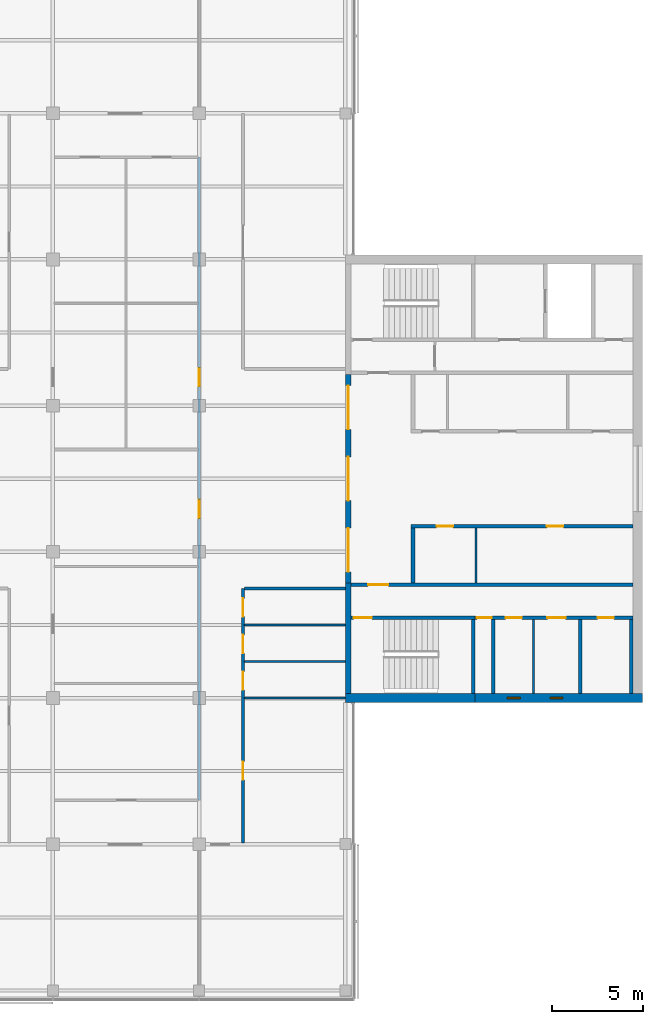
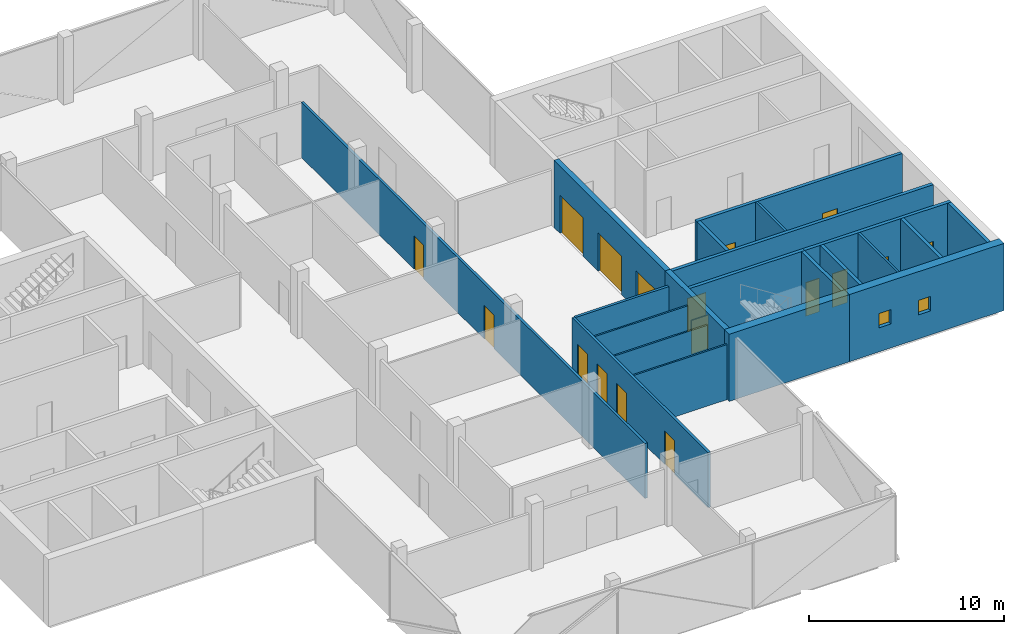
# One storey, part 10 of 15: 21 walls, 17 doors, 2 windows, 19 openings.
"""IFC4 building model written with IfcOpenShell, lengths in metres."""

from ifc_helpers import new_model, si_unit, direction, frame, frame_2d, origin, place, context, subcontext, project, spatial, rectangle, extrude, material, layer, layer_set, constituent, constituent_set, type_object, element, fill, save


model = new_model("IFC4")

# Units and contexts
model_context = context("Model", 3, precision=1e-05, world=origin(), true_north=direction((0.0, 1.0)))
body_context = subcontext(model_context, "Body", "Model", "MODEL_VIEW")
ifc_project = project(units=[si_unit("LENGTHUNIT", "METRE"), si_unit("AREAUNIT", "SQUARE_METRE"), si_unit("VOLUMEUNIT", "CUBIC_METRE"), si_unit("PLANEANGLEUNIT", "RADIAN"), si_unit("MASSUNIT", "GRAM", prefix="KILO")], contexts=[model_context])

# Site, building, storey
site_placement = place(None, origin())
site = spatial("IfcSite", under=ifc_project, at=site_placement, CompositionType="ELEMENT")
building_placement = place(site_placement, origin())
building = spatial("IfcBuilding", under=site, at=building_placement, Name="Crosswind Convention Tower", CompositionType="ELEMENT")
storey_placement = place(building_placement, frame((0.0, 0.0, 257.699951171875)))
storey = spatial("IfcBuildingStorey", under=building, at=storey_placement, Name="L55", CompositionType="ELEMENT", Elevation=257.699951171875)

# Wall
ifc_material_1 = material(Name="Concrete blockwork", Category="masonry")
ifc_layer_1 = layer(ifc_material_1, 0.199951171875)
ifc_layer_set_1 = layer_set([ifc_layer_1], Name="Blockwork partition wall 200")
wall_type_1 = type_object("IfcWallType", Name="Blockwork partition wall 200", PredefinedType="PARTITIONING", material=ifc_layer_set_1)
wall_1_placement = place(storey_placement, frame((145.10009765625, 88.25, 0.0), z_axis=(0.0, 0.0, 1.0), x_axis=(0.0, 1.0, 0.0)))
element("IfcWall", 1, at=wall_1_placement, inside=storey, type_object=wall_type_1, Name="Wall MRSE E L55", PredefinedType="PARTITIONING", context=body_context, shape_type="SweptSolid", body=[
    extrude(rectangle(XDim=4.050048828125, YDim=0.199951171875, at=frame_2d((2.02490234375, 0.0))), origin(), (0.0, 0.0, 1.0), 4.199951171875),
])

# Wall, openings, doors
ifc_material_2 = material(Name="Concrete C50/60", Category="concrete")
ifc_layer_2 = layer(ifc_material_2, 0.300048828125)
ifc_layer_set_2 = layer_set([ifc_layer_2], Name="Concrete C50/60")
wall_type_2 = type_object("IfcWallType", Name="Concrete inner core wall 300", PredefinedType="SHEAR", material=ifc_layer_set_2)
wall_2_placement = place(storey_placement, frame((137.14990234375, 94.300048828125, 0.0), z_axis=(0.0, 0.0, 1.0), x_axis=(0.0, 1.0, 0.0)))
wall_2 = element("IfcWall", 2, at=wall_2_placement, inside=storey, type_object=wall_type_2, Name="Wall SCR E L55", PredefinedType="SHEAR", context=body_context, shape_type="SweptSolid", body=[
    extrude(rectangle(XDim=11.39990234375, YDim=0.300048828125, at=frame_2d((5.699951171875, 0.0))), origin(), (0.0, 0.0, 1.0), 4.199951171875),
])
opening_1_placement = place(wall_2_placement, frame((0.60009765625, 0.0, 0.0)))
opening_1 = element("IfcOpeningElement", 3, at=opening_1_placement, cuts=wall_2, Name="Opening D100", PredefinedType="OPENING", context=body_context, shape_type="SweptSolid", body=[
    extrude(rectangle(XDim=2.39990234375, YDim=2.39990234375, at=frame_2d((1.199951171875, 1.199951171875))), frame((0.0, 0.159912109375, 0.0), z_axis=(0.0, -1.0, 0.0), x_axis=(1.0, 0.0, 0.0)), (0.0, 0.0, 1.0), 0.320068359375),
])
opening_2_placement = place(wall_2_placement, frame((4.5, 0.0, 0.0)))
opening_2 = element("IfcOpeningElement", 4, at=opening_2_placement, cuts=wall_2, Name="Opening D100", PredefinedType="OPENING", context=body_context, shape_type="SweptSolid", body=[
    extrude(rectangle(XDim=2.39990234375, YDim=2.39990234375, at=frame_2d((1.199951171875, 1.199951171875))), frame((0.0, 0.159912109375, 0.0), z_axis=(0.0, -1.0, 0.0), x_axis=(1.0, 0.0, 0.0)), (0.0, 0.0, 1.0), 0.320068359375),
])
opening_3_placement = place(wall_2_placement, frame((8.39990234375, 0.0, 0.0)))
opening_3 = element("IfcOpeningElement", 5, at=opening_3_placement, cuts=wall_2, Name="Opening D100", PredefinedType="OPENING", context=body_context, shape_type="SweptSolid", body=[
    extrude(rectangle(XDim=2.39990234375, YDim=2.39990234375, at=frame_2d((1.199951171875, 1.199951171875))), frame((0.0, 0.159912109375, 0.0), z_axis=(0.0, -1.0, 0.0), x_axis=(1.0, 0.0, 0.0)), (0.0, 0.0, 1.0), 0.320068359375),
])
ifc_material_3 = material(Name="Steel fire door with glazed vision panels", Category="steel")
door_type_1 = type_object("IfcDoorType", Name="Fire-rated double door 2400x2400", OperationType="DOUBLE_DOOR_SINGLE_SWING", PredefinedType="DOOR", material=ifc_material_3)
door_1_placement = place(opening_1_placement, origin())
door_1 = element("IfcDoor", 6, at=door_1_placement, inside=storey, type_object=door_type_1, Name="Lobby door 1 L55", ObjectType="D100", OperationType="DOUBLE_DOOR_SINGLE_SWING", OverallHeight=2.39990234375, OverallWidth=2.39990234375, PredefinedType="DOOR", context=body_context, shape_type="SweptSolid", body=[
    extrude(rectangle(XDim=2.39990234375, YDim=2.39990234375, at=frame_2d((1.199951171875, 1.199951171875))), frame((0.0, 0.02490234375, 0.0), z_axis=(0.0, -1.0, 0.0), x_axis=(1.0, 0.0, 0.0)), (0.0, 0.0, 1.0), 0.050048828125),
])
fill(opening_1, door_1)
door_2_placement = place(opening_2_placement, origin())
door_2 = element("IfcDoor", 7, at=door_2_placement, inside=storey, type_object=door_type_1, Name="Lobby door 2 L55", ObjectType="D100", OperationType="DOUBLE_DOOR_SINGLE_SWING", OverallHeight=2.39990234375, OverallWidth=2.39990234375, PredefinedType="DOOR", context=body_context, shape_type="SweptSolid", body=[
    extrude(rectangle(XDim=2.39990234375, YDim=2.39990234375, at=frame_2d((1.199951171875, 1.199951171875))), frame((0.0, 0.02490234375, 0.0), z_axis=(0.0, -1.0, 0.0), x_axis=(1.0, 0.0, 0.0)), (0.0, 0.0, 1.0), 0.050048828125),
])
fill(opening_2, door_2)
door_3_placement = place(opening_3_placement, origin())
door_3 = element("IfcDoor", 8, at=door_3_placement, inside=storey, type_object=door_type_1, Name="Lobby door 3 L55", ObjectType="D100", OperationType="DOUBLE_DOOR_SINGLE_SWING", OverallHeight=2.39990234375, OverallWidth=2.39990234375, PredefinedType="DOOR", context=body_context, shape_type="SweptSolid", body=[
    extrude(rectangle(XDim=2.39990234375, YDim=2.39990234375, at=frame_2d((1.199951171875, 1.199951171875))), frame((0.0, 0.02490234375, 0.0), z_axis=(0.0, -1.0, 0.0), x_axis=(1.0, 0.0, 0.0)), (0.0, 0.0, 1.0), 0.050048828125),
])
fill(opening_3, door_3)

# Walls
wall_3_placement = place(storey_placement, frame((137.14990234375, 88.25, 0.0), z_axis=(0.0, 0.0, 1.0), x_axis=(0.0, 1.0, 0.0)))
element("IfcWall", 9, at=wall_3_placement, inside=storey, type_object=wall_type_2, Name="Wall EM E L55", PredefinedType="SHEAR", context=body_context, shape_type="SweptSolid", body=[
    extrude(rectangle(XDim=6.050048828125, YDim=0.300048828125, at=frame_2d((3.02490234375, 0.0))), origin(), (0.0, 0.0, 1.0), 4.199951171875),
])
ifc_layer_3 = layer(ifc_material_2, 0.199951171875)
ifc_layer_set_3 = layer_set([ifc_layer_3], Name="Concrete C50/60")
wall_type_3 = type_object("IfcWallType", Name="Concrete shaft and stair wall 200", PredefinedType="SHEAR", material=ifc_layer_set_3)
wall_4_placement = place(storey_placement, frame((140.699951171875, 94.300048828125, 0.0), z_axis=(0.0, 0.0, 1.0), x_axis=(0.0, 1.0, 0.0)))
element("IfcWall", 10, at=wall_4_placement, inside=storey, type_object=wall_type_3, Name="Wall RMEND E L55", PredefinedType="SHEAR", context=body_context, shape_type="SweptSolid", body=[
    extrude(rectangle(XDim=3.0, YDim=0.199951171875, at=frame_2d((1.5, 0.0))), origin(), (0.0, 0.0, 1.0), 4.199951171875),
])

# Wall, openings, doors
wall_5_placement = place(storey_placement, frame((140.60009765625, 97.39990234375, 0.0), z_axis=(0.0, 0.0, 1.0), x_axis=(1.0, 0.0, 0.0)))
wall_5 = element("IfcWall", 11, at=wall_5_placement, inside=storey, type_object=wall_type_3, Name="Wall RMFRONT E L55", PredefinedType="SHEAR", context=body_context, shape_type="SweptSolid", body=[
    extrude(rectangle(XDim=12.14990234375, YDim=0.199951171875, at=frame_2d((6.074951171875, 0.0))), origin(), (0.0, 0.0, 1.0), 4.199951171875),
])
opening_4_placement = place(wall_5_placement, frame((1.391845703125, 0.0, 0.0)))
opening_4 = element("IfcOpeningElement", 12, at=opening_4_placement, cuts=wall_5, Name="Opening D106", PredefinedType="OPENING", context=body_context, shape_type="SweptSolid", body=[
    extrude(rectangle(XDim=0.89990234375, YDim=2.10009765625, at=frame_2d((0.449951171875, 1.050048828125))), frame((0.0, 0.10986328125, 0.0), z_axis=(0.0, -1.0, 0.0), x_axis=(1.0, 0.0, 0.0)), (0.0, 0.0, 1.0), 0.219970703125),
])
opening_5_placement = place(wall_5_placement, frame((7.42919921875, 0.0, 0.0)))
opening_5 = element("IfcOpeningElement", 13, at=opening_5_placement, cuts=wall_5, Name="Opening D106", PredefinedType="OPENING", context=body_context, shape_type="SweptSolid", body=[
    extrude(rectangle(XDim=0.89990234375, YDim=2.10009765625, at=frame_2d((0.449951171875, 1.050048828125))), frame((0.0, 0.10986328125, 0.0), z_axis=(0.0, -1.0, 0.0), x_axis=(1.0, 0.0, 0.0)), (0.0, 0.0, 1.0), 0.219970703125),
])
ifc_material_4 = material(Name="Timber door", Category="wood")
door_type_2 = type_object("IfcDoorType", Name="Single leaf door 900x2100", OperationType="NOTDEFINED", PredefinedType="DOOR", material=ifc_material_4)
door_4_placement = place(opening_4_placement, frame((0.89990234375, 0.0, 0.0), z_axis=(0.0, 0.0, 1.0), x_axis=(-1.0, 0.0, 0.0)))
door_4 = element("IfcDoor", 14, at=door_4_placement, inside=storey, type_object=door_type_2, Name="Door to copy and print room L55", ObjectType="D106", OperationType="SINGLE_SWING_LEFT", OverallHeight=2.10009765625, OverallWidth=0.89990234375, PredefinedType="DOOR", context=body_context, shape_type="SweptSolid", body=[
    extrude(rectangle(XDim=0.89990234375, YDim=2.10009765625, at=frame_2d((0.449951171875, 1.050048828125))), frame((0.0, 0.02490234375, 0.0), z_axis=(0.0, -1.0, 0.0), x_axis=(1.0, 0.0, 0.0)), (0.0, 0.0, 1.0), 0.050048828125),
])
fill(opening_4, door_4)
door_5_placement = place(opening_5_placement, frame((0.89990234375, 0.0, 0.0), z_axis=(0.0, 0.0, 1.0), x_axis=(-1.0, 0.0, 0.0)))
door_5 = element("IfcDoor", 15, at=door_5_placement, inside=storey, type_object=door_type_2, Name="Door to meeting room L55", ObjectType="D106", OperationType="SINGLE_SWING_LEFT", OverallHeight=2.10009765625, OverallWidth=0.89990234375, PredefinedType="DOOR", context=body_context, shape_type="SweptSolid", body=[
    extrude(rectangle(XDim=0.89990234375, YDim=2.10009765625, at=frame_2d((0.449951171875, 1.050048828125))), frame((0.0, 0.02490234375, 0.0), z_axis=(0.0, -1.0, 0.0), x_axis=(1.0, 0.0, 0.0)), (0.0, 0.0, 1.0), 0.050048828125),
])
fill(opening_5, door_5)

# Wall, opening, door
wall_6_placement = place(storey_placement, frame((137.300048828125, 94.199951171875, 0.0), z_axis=(0.0, 0.0, 1.0), x_axis=(1.0, 0.0, 0.0)))
wall_6 = element("IfcWall", 16, at=wall_6_placement, inside=storey, type_object=wall_type_3, Name="Wall HM E L55", PredefinedType="SHEAR", context=body_context, shape_type="SweptSolid", body=[
    extrude(rectangle(XDim=15.449951171875, YDim=0.199951171875, at=frame_2d((7.72509765625, 0.0))), origin(), (0.0, 0.0, 1.0), 4.199951171875),
])
opening_6_placement = place(wall_6_placement, frame((0.949951171875, 0.0, 0.0)))
opening_6 = element("IfcOpeningElement", 17, at=opening_6_placement, cuts=wall_6, Name="Opening D104", PredefinedType="OPENING", context=body_context, shape_type="SweptSolid", body=[
    extrude(rectangle(XDim=1.10009765625, YDim=2.10009765625, at=frame_2d((0.550048828125, 1.050048828125))), frame((0.0, 0.10986328125, 0.0), z_axis=(0.0, -1.0, 0.0), x_axis=(1.0, 0.0, 0.0)), (0.0, 0.0, 1.0), 0.219970703125),
])
ifc_material_5 = material(Name="Steel fire door", Category="steel")
door_type_3 = type_object("IfcDoorType", Name="Fire-rated single door 1100x2100", OperationType="NOTDEFINED", PredefinedType="DOOR", material=ifc_material_5)
door_6_placement = place(opening_6_placement, origin())
door_6 = element("IfcDoor", 18, at=door_6_placement, inside=storey, type_object=door_type_3, Name="Corridor door L55", ObjectType="D104", OperationType="SINGLE_SWING_LEFT", OverallHeight=2.10009765625, OverallWidth=1.10009765625, PredefinedType="DOOR", context=body_context, shape_type="SweptSolid", body=[
    extrude(rectangle(XDim=1.10009765625, YDim=2.10009765625, at=frame_2d((0.550048828125, 1.050048828125))), frame((0.0, 0.02490234375, 0.0), z_axis=(0.0, -1.0, 0.0), x_axis=(1.0, 0.0, 0.0)), (0.0, 0.0, 1.0), 0.050048828125),
])
fill(opening_6, door_6)

# Walls
for number, where, z_axis, x_axis, name in (
    (19, (144.0, 88.25, 0.0), (0.0, 0.0, 1.0), (0.0, 1.0, 0.0), "Wall MSE E L55"),
    (20, (149.85009765625, 88.25, 0.0), (0.0, 0.0, 1.0), (0.0, 1.0, 0.0), "Wall MFSW E L55"),
    (21, (152.64990234375, 88.25, 0.0), (0.0, 0.0, 1.0), (0.0, 1.0, 0.0), "Wall MFSE E L55"),
):
    element("IfcWall", number, at=place(storey_placement, frame(where, z_axis=z_axis, x_axis=x_axis)), inside=storey, type_object=wall_type_3, Name=name, PredefinedType="SHEAR", context=body_context, shape_type="SweptSolid", body=[
        extrude(rectangle(XDim=4.050048828125, YDim=0.199951171875, at=frame_2d((2.02490234375, 0.0))), origin(), (0.0, 0.0, 1.0), 4.199951171875),
    ])

# Wall, opening, door
wall_7_placement = place(storey_placement, frame((137.300048828125, 92.39990234375, 0.0), z_axis=(0.0, 0.0, 1.0), x_axis=(1.0, 0.0, 0.0)))
wall_7 = element("IfcWall", 22, at=wall_7_placement, inside=storey, type_object=wall_type_3, Name="Wall MCW E L55", PredefinedType="SHEAR", context=body_context, shape_type="SweptSolid", body=[
    extrude(rectangle(XDim=6.800048828125, YDim=0.199951171875, at=frame_2d((3.39990234375, 0.0))), origin(), (0.0, 0.0, 1.0), 4.199951171875),
])
opening_7_placement = place(wall_7_placement, frame((0.14990234375, 0.0, 0.0)))
opening_7 = element("IfcOpeningElement", 23, at=opening_7_placement, cuts=wall_7, Name="Opening D103", PredefinedType="OPENING", context=body_context, shape_type="SweptSolid", body=[
    extrude(rectangle(XDim=1.0, YDim=2.10009765625, at=frame_2d((0.5, 1.050048828125))), frame((0.0, 0.10986328125, 0.0), z_axis=(0.0, -1.0, 0.0), x_axis=(1.0, 0.0, 0.0)), (0.0, 0.0, 1.0), 0.219970703125),
])
door_type_4 = type_object("IfcDoorType", Name="Fire-rated single door 1000x2100", OperationType="NOTDEFINED", PredefinedType="DOOR", material=ifc_material_5)
door_7_placement = place(opening_7_placement, frame((1.0, 0.0, 0.0), z_axis=(0.0, 0.0, 1.0), x_axis=(-1.0, 0.0, 0.0)))
door_7 = element("IfcDoor", 24, at=door_7_placement, inside=storey, type_object=door_type_4, Name="Stair ST2 door L55", ObjectType="D103", OperationType="SINGLE_SWING_RIGHT", OverallHeight=2.10009765625, OverallWidth=1.0, PredefinedType="DOOR", context=body_context, shape_type="SweptSolid", body=[
    extrude(rectangle(XDim=1.0, YDim=2.10009765625, at=frame_2d((0.5, 1.050048828125))), frame((0.0, 0.02490234375, 0.0), z_axis=(0.0, -1.0, 0.0), x_axis=(1.0, 0.0, 0.0)), (0.0, 0.0, 1.0), 0.050048828125),
])
fill(opening_7, door_7)

# Wall, openings, doors
wall_8_placement = place(storey_placement, frame((144.10009765625, 92.39990234375, 0.0), z_axis=(0.0, 0.0, 1.0), x_axis=(1.0, 0.0, 0.0)))
wall_8 = element("IfcWall", 25, at=wall_8_placement, inside=storey, type_object=wall_type_3, Name="Wall MCX E L55", PredefinedType="SHEAR", context=body_context, shape_type="SweptSolid", body=[
    extrude(rectangle(XDim=8.64990234375, YDim=0.199951171875, at=frame_2d((4.324951171875, 0.0))), origin(), (0.0, 0.0, 1.0), 4.199951171875),
])
opening_8_placement = place(wall_8_placement, frame((0.10009765625, 0.0, 0.0)))
opening_8 = element("IfcOpeningElement", 26, at=opening_8_placement, cuts=wall_8, Name="Opening D105", PredefinedType="OPENING", context=body_context, shape_type="SweptSolid", body=[
    extrude(rectangle(XDim=0.800048828125, YDim=2.10009765625, at=frame_2d((0.39990234375, 1.050048828125))), frame((0.0, 0.10986328125, 0.0), z_axis=(0.0, -1.0, 0.0), x_axis=(1.0, 0.0, 0.0)), (0.0, 0.0, 1.0), 0.219970703125),
])
opening_9_placement = place(wall_8_placement, frame((1.665283203125, 0.0, 0.0)))
opening_9 = element("IfcOpeningElement", 27, at=opening_9_placement, cuts=wall_8, Name="Opening D106", PredefinedType="OPENING", context=body_context, shape_type="SweptSolid", body=[
    extrude(rectangle(XDim=0.89990234375, YDim=2.10009765625, at=frame_2d((0.449951171875, 1.050048828125))), frame((0.0, 0.10986328125, 0.0), z_axis=(0.0, -1.0, 0.0), x_axis=(1.0, 0.0, 0.0)), (0.0, 0.0, 1.0), 0.219970703125),
])
opening_10_placement = place(wall_8_placement, frame((3.95263671875, 0.0, 0.0)))
opening_10 = element("IfcOpeningElement", 28, at=opening_10_placement, cuts=wall_8, Name="Opening D103", PredefinedType="OPENING", context=body_context, shape_type="SweptSolid", body=[
    extrude(rectangle(XDim=1.0, YDim=2.10009765625, at=frame_2d((0.5, 1.050048828125))), frame((0.0, 0.10986328125, 0.0), z_axis=(0.0, -1.0, 0.0), x_axis=(1.0, 0.0, 0.0)), (0.0, 0.0, 1.0), 0.219970703125),
])
opening_11_placement = place(wall_8_placement, frame((6.699951171875, 0.0, 0.0)))
opening_11 = element("IfcOpeningElement", 29, at=opening_11_placement, cuts=wall_8, Name="Opening D106", PredefinedType="OPENING", context=body_context, shape_type="SweptSolid", body=[
    extrude(rectangle(XDim=0.89990234375, YDim=2.10009765625, at=frame_2d((0.449951171875, 1.050048828125))), frame((0.0, 0.10986328125, 0.0), z_axis=(0.0, -1.0, 0.0), x_axis=(1.0, 0.0, 0.0)), (0.0, 0.0, 1.0), 0.219970703125),
])
door_8_placement = place(opening_10_placement, frame((1.0, 0.0, 0.0), z_axis=(0.0, 0.0, 1.0), x_axis=(-1.0, 0.0, 0.0)))
door_8 = element("IfcDoor", 30, at=door_8_placement, inside=storey, type_object=door_type_4, Name="Door to accessible wc L55", ObjectType="D103", OperationType="SINGLE_SWING_LEFT", OverallHeight=2.10009765625, OverallWidth=1.0, PredefinedType="DOOR", context=body_context, shape_type="SweptSolid", body=[
    extrude(rectangle(XDim=1.0, YDim=2.10009765625, at=frame_2d((0.5, 1.050048828125))), frame((0.0, 0.02490234375, 0.0), z_axis=(0.0, -1.0, 0.0), x_axis=(1.0, 0.0, 0.0)), (0.0, 0.0, 1.0), 0.050048828125),
])
fill(opening_10, door_8)
door_type_5 = type_object("IfcDoorType", Name="Riser access door 800x2100", OperationType="NOTDEFINED", PredefinedType="DOOR", material=ifc_material_5)
door_9_placement = place(opening_8_placement, frame((0.800048828125, 0.0, 0.0), z_axis=(0.0, 0.0, 1.0), x_axis=(-1.0, 0.0, 0.0)))
door_9 = element("IfcDoor", 31, at=door_9_placement, inside=storey, type_object=door_type_5, Name="Riser door L55", ObjectType="D105", OperationType="SINGLE_SWING_LEFT", OverallHeight=2.10009765625, OverallWidth=0.800048828125, PredefinedType="DOOR", context=body_context, shape_type="SweptSolid", body=[
    extrude(rectangle(XDim=0.800048828125, YDim=2.10009765625, at=frame_2d((0.39990234375, 1.050048828125))), frame((0.0, 0.02490234375, 0.0), z_axis=(0.0, -1.0, 0.0), x_axis=(1.0, 0.0, 0.0)), (0.0, 0.0, 1.0), 0.050048828125),
])
fill(opening_8, door_9)
door_10_placement = place(opening_9_placement, frame((0.89990234375, 0.0, 0.0), z_axis=(0.0, 0.0, 1.0), x_axis=(-1.0, 0.0, 0.0)))
door_10 = element("IfcDoor", 32, at=door_10_placement, inside=storey, type_object=door_type_2, Name="Door to wc L55", ObjectType="D106", OperationType="SINGLE_SWING_LEFT", OverallHeight=2.10009765625, OverallWidth=0.89990234375, PredefinedType="DOOR", context=body_context, shape_type="SweptSolid", body=[
    extrude(rectangle(XDim=0.89990234375, YDim=2.10009765625, at=frame_2d((0.449951171875, 1.050048828125))), frame((0.0, 0.02490234375, 0.0), z_axis=(0.0, -1.0, 0.0), x_axis=(1.0, 0.0, 0.0)), (0.0, 0.0, 1.0), 0.050048828125),
])
fill(opening_9, door_10)
door_11_placement = place(opening_11_placement, frame((0.89990234375, 0.0, 0.0), z_axis=(0.0, 0.0, 1.0), x_axis=(-1.0, 0.0, 0.0)))
door_11 = element("IfcDoor", 33, at=door_11_placement, inside=storey, type_object=door_type_2, Name="Door to accessible wc L55", ObjectType="D106", OperationType="SINGLE_SWING_LEFT", OverallHeight=2.10009765625, OverallWidth=0.89990234375, PredefinedType="DOOR", context=body_context, shape_type="SweptSolid", body=[
    extrude(rectangle(XDim=0.89990234375, YDim=2.10009765625, at=frame_2d((0.449951171875, 1.050048828125))), frame((0.0, 0.02490234375, 0.0), z_axis=(0.0, -1.0, 0.0), x_axis=(1.0, 0.0, 0.0)), (0.0, 0.0, 1.0), 0.050048828125),
])
fill(opening_11, door_11)

# Walls
ifc_material_6 = material(Name="Gypsum plasterboard partition", Category="gypsum")
ifc_layer_4 = layer(ifc_material_6, 0.125)
ifc_layer_set_4 = layer_set([ifc_layer_4], Name="Drywall partition wall 125")
wall_type_4 = type_object("IfcWallType", Name="Drywall partition wall 125", PredefinedType="PARTITIONING", material=ifc_layer_set_4)
wall_9_placement = place(storey_placement, frame((144.14599609375, 94.300048828125, 0.0), z_axis=(0.0, 0.0, 1.0), x_axis=(0.0, 1.0, 0.0)))
element("IfcWall", 34, at=wall_9_placement, inside=storey, type_object=wall_type_4, Name="Wall RMP1 E L55", PredefinedType="PARTITIONING", context=body_context, shape_type="SweptSolid", body=[
    extrude(rectangle(XDim=3.0, YDim=0.125, at=frame_2d((1.5, 0.0))), origin(), (0.0, 0.0, 1.0), 4.199951171875),
])
wall_10_placement = place(storey_placement, frame((147.29296875, 88.25, 0.0), z_axis=(0.0, 0.0, 1.0), x_axis=(0.0, 1.0, 0.0)))
element("IfcWall", 35, at=wall_10_placement, inside=storey, type_object=wall_type_4, Name="Wall MWP1 E L55", PredefinedType="PARTITIONING", context=body_context, shape_type="SweptSolid", body=[
    extrude(rectangle(XDim=4.050048828125, YDim=0.125, at=frame_2d((2.02490234375, 0.0))), origin(), (0.0, 0.0, 1.0), 4.199951171875),
])
ifc_material_7 = material(Name="Plasterboard partition", Category="gypsum")
ifc_layer_5 = layer(ifc_material_7, 0.10009765625)
ifc_layer_set_5 = layer_set([ifc_layer_5], Name="PARTITION 100 METAL STUD")
wall_type_5 = type_object("IfcWallType", Name="PARTITION 100 METAL STUD", PredefinedType="PARTITIONING", material=ifc_layer_set_5)
for number, where, z_axis, x_axis, name in (
    (36, (131.47509765625, 88.0, 0.0), (0.0, 0.0, 1.0), (1.0, 0.0, 0.0), "Partition wall WT40"),
    (37, (131.47509765625, 90.0, 0.0), (0.0, 0.0, 1.0), (1.0, 0.0, 0.0), "Partition wall WT40"),
    (38, (131.47509765625, 92.0, 0.0), (0.0, 0.0, 1.0), (1.0, 0.0, 0.0), "Partition wall WT40"),
):
    element("IfcWall", number, at=place(storey_placement, frame(where, z_axis=z_axis, x_axis=x_axis)), inside=storey, type_object=wall_type_5, Name=name, PredefinedType="PARTITIONING", context=body_context, shape_type="SweptSolid", body=[
        extrude(rectangle(XDim=5.52490234375, YDim=0.10009765625, at=frame_2d((2.762451171875, 0.0))), origin(), (0.0, 0.0, 1.0), 3.44287109375),
    ])

# Wall, openings, doors
ifc_material_8 = material(Name="Fire-board partition with mineral wool", Category="gypsum")
ifc_layer_6 = layer(ifc_material_8, 0.14990234375)
ifc_layer_set_6 = layer_set([ifc_layer_6], Name="TENANCY WALL 150 TWO-HOUR BOARD")
wall_type_6 = type_object("IfcWallType", Name="TENANCY WALL 150 TWO-HOUR BOARD", PredefinedType="PARTITIONING", material=ifc_layer_set_6)
wall_11_placement = place(storey_placement, frame((129.0, 82.39990234375, 0.0), z_axis=(0.0, 0.0, 1.0), x_axis=(0.0, 1.0, 0.0)))
wall_11 = element("IfcWall", 39, at=wall_11_placement, inside=storey, type_object=wall_type_6, Name="Tenancy wall WT41", PredefinedType="PARTITIONING", context=body_context, shape_type="SweptSolid", body=[
    extrude(rectangle(XDim=35.2001953125, YDim=0.14990234375, at=frame_2d((17.60009765625, 0.0))), origin(), (0.0, 0.0, 1.0), 3.44287109375),
])
opening_12_placement = place(wall_11_placement, frame((15.449951171875, 0.0, 0.0)))
opening_12 = element("IfcOpeningElement", 40, at=opening_12_placement, cuts=wall_11, Name="Opening L55-62", PredefinedType="OPENING", context=body_context, shape_type="SweptSolid", body=[
    extrude(rectangle(XDim=1.0, YDim=2.10009765625, at=frame_2d((0.5, 1.050048828125))), frame((0.0, 0.0849609375, 0.0), z_axis=(0.0, -1.0, 0.0), x_axis=(1.0, 0.0, 0.0)), (0.0, 0.0, 1.0), 0.169921875),
])
opening_13_placement = place(wall_11_placement, frame((22.64990234375, 0.0, 0.0)))
opening_13 = element("IfcOpeningElement", 41, at=opening_13_placement, cuts=wall_11, Name="Opening L55-64", PredefinedType="OPENING", context=body_context, shape_type="SweptSolid", body=[
    extrude(rectangle(XDim=1.0, YDim=2.10009765625, at=frame_2d((0.5, 1.050048828125))), frame((0.0, 0.0849609375, 0.0), z_axis=(0.0, -1.0, 0.0), x_axis=(1.0, 0.0, 0.0)), (0.0, 0.0, 1.0), 0.169921875),
])
ifc_material_9 = material(Name="Timber fire door", Category="wood")
door_type_6 = type_object("IfcDoorType", Name="TENANCY ENTRANCE DOOR 1000X2100 FD30S", OperationType="NOTDEFINED", PredefinedType="DOOR", material=ifc_material_9)
door_12_placement = place(opening_12_placement, origin())
door_12 = element("IfcDoor", 42, at=door_12_placement, inside=storey, type_object=door_type_6, Name="Door L55-62", ObjectType="D41", OperationType="SINGLE_SWING_LEFT", OverallHeight=2.10009765625, OverallWidth=1.0, PredefinedType="DOOR", context=body_context, shape_type="SweptSolid", body=[
    extrude(rectangle(XDim=1.0, YDim=2.10009765625, at=frame_2d((0.5, 1.050048828125))), frame((0.0, 0.02490234375, 0.0), z_axis=(0.0, -1.0, 0.0), x_axis=(1.0, 0.0, 0.0)), (0.0, 0.0, 1.0), 0.050048828125),
])
fill(opening_12, door_12)
door_13_placement = place(opening_13_placement, origin())
door_13 = element("IfcDoor", 43, at=door_13_placement, inside=storey, type_object=door_type_6, Name="Door L55-64", ObjectType="D41", OperationType="SINGLE_SWING_LEFT", OverallHeight=2.10009765625, OverallWidth=1.0, PredefinedType="DOOR", context=body_context, shape_type="SweptSolid", body=[
    extrude(rectangle(XDim=1.0, YDim=2.10009765625, at=frame_2d((0.5, 1.050048828125))), frame((0.0, 0.02490234375, 0.0), z_axis=(0.0, -1.0, 0.0), x_axis=(1.0, 0.0, 0.0)), (0.0, 0.0, 1.0), 0.050048828125),
])
fill(opening_13, door_13)

wall_12_placement = place(storey_placement, frame((131.39990234375, 80.074951171875, 0.0), z_axis=(0.0, 0.0, 1.0), x_axis=(0.0, 1.0, 0.0)))
wall_12 = element("IfcWall", 44, at=wall_12_placement, inside=storey, type_object=wall_type_6, Name="Tenancy wall WT41", PredefinedType="PARTITIONING", context=body_context, shape_type="SweptSolid", body=[
    extrude(rectangle(XDim=13.925048828125, YDim=0.14990234375, at=frame_2d((6.96240234375, 0.0))), origin(), (0.0, 0.0, 1.0), 3.44287109375),
])
opening_14_placement = place(wall_12_placement, frame((12.375, 0.0, 0.0)))
opening_14 = element("IfcOpeningElement", 45, at=opening_14_placement, cuts=wall_12, Name="Opening L55-51", PredefinedType="OPENING", context=body_context, shape_type="SweptSolid", body=[
    extrude(rectangle(XDim=1.0, YDim=2.10009765625, at=frame_2d((0.5, 1.050048828125))), frame((0.0, 0.0849609375, 0.0), z_axis=(0.0, -1.0, 0.0), x_axis=(1.0, 0.0, 0.0)), (0.0, 0.0, 1.0), 0.169921875),
])
opening_15_placement = place(wall_12_placement, frame((10.375, 0.0, 0.0)))
opening_15 = element("IfcOpeningElement", 46, at=opening_15_placement, cuts=wall_12, Name="Opening L55-52", PredefinedType="OPENING", context=body_context, shape_type="SweptSolid", body=[
    extrude(rectangle(XDim=1.0, YDim=2.10009765625, at=frame_2d((0.5, 1.050048828125))), frame((0.0, 0.0849609375, 0.0), z_axis=(0.0, -1.0, 0.0), x_axis=(1.0, 0.0, 0.0)), (0.0, 0.0, 1.0), 0.169921875),
])
opening_16_placement = place(wall_12_placement, frame((8.375, 0.0, 0.0)))
opening_16 = element("IfcOpeningElement", 47, at=opening_16_placement, cuts=wall_12, Name="Opening L55-53", PredefinedType="OPENING", context=body_context, shape_type="SweptSolid", body=[
    extrude(rectangle(XDim=1.0, YDim=2.10009765625, at=frame_2d((0.5, 1.050048828125))), frame((0.0, 0.0849609375, 0.0), z_axis=(0.0, -1.0, 0.0), x_axis=(1.0, 0.0, 0.0)), (0.0, 0.0, 1.0), 0.169921875),
])
opening_17_placement = place(wall_12_placement, frame((3.449951171875, 0.0, 0.0)))
opening_17 = element("IfcOpeningElement", 48, at=opening_17_placement, cuts=wall_12, Name="Opening L55-54", PredefinedType="OPENING", context=body_context, shape_type="SweptSolid", body=[
    extrude(rectangle(XDim=1.0, YDim=2.10009765625, at=frame_2d((0.5, 1.050048828125))), frame((0.0, 0.0849609375, 0.0), z_axis=(0.0, -1.0, 0.0), x_axis=(1.0, 0.0, 0.0)), (0.0, 0.0, 1.0), 0.169921875),
])
door_14_placement = place(opening_14_placement, frame((1.0, 0.0, 0.0), z_axis=(0.0, 0.0, 1.0), x_axis=(-1.0, 0.0, 0.0)))
door_14 = element("IfcDoor", 49, at=door_14_placement, inside=storey, type_object=door_type_6, Name="Door L55-51", ObjectType="D41", OperationType="SINGLE_SWING_RIGHT", OverallHeight=2.10009765625, OverallWidth=1.0, PredefinedType="DOOR", context=body_context, shape_type="SweptSolid", body=[
    extrude(rectangle(XDim=1.0, YDim=2.10009765625, at=frame_2d((0.5, 1.050048828125))), frame((0.0, 0.02490234375, 0.0), z_axis=(0.0, -1.0, 0.0), x_axis=(1.0, 0.0, 0.0)), (0.0, 0.0, 1.0), 0.050048828125),
])
fill(opening_14, door_14)
door_15_placement = place(opening_15_placement, frame((1.0, 0.0, 0.0), z_axis=(0.0, 0.0, 1.0), x_axis=(-1.0, 0.0, 0.0)))
door_15 = element("IfcDoor", 50, at=door_15_placement, inside=storey, type_object=door_type_6, Name="Door L55-52", ObjectType="D41", OperationType="SINGLE_SWING_RIGHT", OverallHeight=2.10009765625, OverallWidth=1.0, PredefinedType="DOOR", context=body_context, shape_type="SweptSolid", body=[
    extrude(rectangle(XDim=1.0, YDim=2.10009765625, at=frame_2d((0.5, 1.050048828125))), frame((0.0, 0.02490234375, 0.0), z_axis=(0.0, -1.0, 0.0), x_axis=(1.0, 0.0, 0.0)), (0.0, 0.0, 1.0), 0.050048828125),
])
fill(opening_15, door_15)
door_16_placement = place(opening_16_placement, frame((1.0, 0.0, 0.0), z_axis=(0.0, 0.0, 1.0), x_axis=(-1.0, 0.0, 0.0)))
door_16 = element("IfcDoor", 51, at=door_16_placement, inside=storey, type_object=door_type_6, Name="Door L55-53", ObjectType="D41", OperationType="SINGLE_SWING_RIGHT", OverallHeight=2.10009765625, OverallWidth=1.0, PredefinedType="DOOR", context=body_context, shape_type="SweptSolid", body=[
    extrude(rectangle(XDim=1.0, YDim=2.10009765625, at=frame_2d((0.5, 1.050048828125))), frame((0.0, 0.02490234375, 0.0), z_axis=(0.0, -1.0, 0.0), x_axis=(1.0, 0.0, 0.0)), (0.0, 0.0, 1.0), 0.050048828125),
])
fill(opening_16, door_16)
door_17_placement = place(opening_17_placement, frame((1.0, 0.0, 0.0), z_axis=(0.0, 0.0, 1.0), x_axis=(-1.0, 0.0, 0.0)))
door_17 = element("IfcDoor", 52, at=door_17_placement, inside=storey, type_object=door_type_6, Name="Door L55-54", ObjectType="D41", OperationType="SINGLE_SWING_LEFT", OverallHeight=2.10009765625, OverallWidth=1.0, PredefinedType="DOOR", context=body_context, shape_type="SweptSolid", body=[
    extrude(rectangle(XDim=1.0, YDim=2.10009765625, at=frame_2d((0.5, 1.050048828125))), frame((0.0, 0.02490234375, 0.0), z_axis=(0.0, -1.0, 0.0), x_axis=(1.0, 0.0, 0.0)), (0.0, 0.0, 1.0), 0.050048828125),
])
fill(opening_17, door_17)

# Walls
wall_13_placement = place(storey_placement, frame((131.47509765625, 94.0, 0.0), z_axis=(0.0, 0.0, 1.0), x_axis=(1.0, 0.0, 0.0)))
element("IfcWall", 53, at=wall_13_placement, inside=storey, type_object=wall_type_6, Name="Tenancy wall WT41", PredefinedType="PARTITIONING", context=body_context, shape_type="SweptSolid", body=[
    extrude(rectangle(XDim=5.52490234375, YDim=0.14990234375, at=frame_2d((2.762451171875, 0.0))), origin(), (0.0, 0.0, 1.0), 3.44287109375),
])
ifc_material_10 = material(Name="Concrete C60/75", Category="concrete")
ifc_constituent_1 = constituent(ifc_material_10, Name="Structure")
ifc_material_11 = material(Name="Terracotta rainscreen", Category="ceramic")
ifc_constituent_2 = constituent(ifc_material_11, Name="Facing")
ifc_constituent_set = constituent_set(constituents=[ifc_constituent_1, ifc_constituent_2], Name="Concrete C60/75, Terracotta rainscreen")
wall_type_7 = type_object("IfcWallType", Name="Terracotta rainscreen on concrete core wall 500", PredefinedType="SHEAR", material=ifc_constituent_set)
wall_14_placement = place(storey_placement, frame((137.0, 88.0, 0.0), z_axis=(0.0, 0.0, 1.0), x_axis=(1.0, 0.0, 0.0)))
element("IfcWall", 54, at=wall_14_placement, inside=storey, type_object=wall_type_7, Name="Wall S1 E L55", PredefinedType="SHEAR", context=body_context, shape_type="SweptSolid", body=[
    extrude(rectangle(XDim=7.10009765625, YDim=0.5, at=frame_2d((3.550048828125, 0.0))), origin(), (0.0, 0.0, 1.0), 4.199951171875),
])

# Wall, openings, windows
wall_15_placement = place(storey_placement, frame((144.10009765625, 88.0, 0.0), z_axis=(0.0, 0.0, 1.0), x_axis=(1.0, 0.0, 0.0)))
wall_15 = element("IfcWall", 55, at=wall_15_placement, inside=storey, type_object=wall_type_7, Name="Wall S2 E L55", PredefinedType="SHEAR", context=body_context, shape_type="SweptSolid", body=[
    extrude(rectangle(XDim=9.14990234375, YDim=0.5, at=frame_2d((4.574951171875, 0.0))), origin(), (0.0, 0.0, 1.0), 4.199951171875),
])
opening_18_placement = place(wall_15_placement, frame((1.76513671875, 0.0, 1.5)))
opening_18 = element("IfcOpeningElement", 56, at=opening_18_placement, cuts=wall_15, Name="Opening W2", PredefinedType="OPENING", context=body_context, shape_type="SweptSolid", body=[
    extrude(rectangle(XDim=0.699951171875, YDim=0.89990234375, at=frame_2d((0.35009765625, 0.449951171875))), frame((0.0, 0.260009765625, 0.0), z_axis=(0.0, -1.0, 0.0), x_axis=(1.0, 0.0, 0.0)), (0.0, 0.0, 1.0), 0.52001953125),
])
opening_19_placement = place(wall_15_placement, frame((4.102783203125, 0.0, 1.5)))
opening_19 = element("IfcOpeningElement", 57, at=opening_19_placement, cuts=wall_15, Name="Opening W2", PredefinedType="OPENING", context=body_context, shape_type="SweptSolid", body=[
    extrude(rectangle(XDim=0.699951171875, YDim=0.89990234375, at=frame_2d((0.35009765625, 0.449951171875))), frame((0.0, 0.260009765625, 0.0), z_axis=(0.0, -1.0, 0.0), x_axis=(1.0, 0.0, 0.0)), (0.0, 0.0, 1.0), 0.52001953125),
])
ifc_material_12 = material(Name="Obscure glass in aluminium frame", Category="aluminium")
window_type = type_object("IfcWindowType", Name="WC window 700x900", PartitioningType="SINGLE_PANEL", PredefinedType="WINDOW", material=ifc_material_12)
window_1_placement = place(opening_18_placement, origin())
window_1 = element("IfcWindow", 58, at=window_1_placement, inside=storey, type_object=window_type, Name="WC window L55", ObjectType="W2", OverallHeight=0.89990234375, OverallWidth=0.699951171875, PartitioningType="SINGLE_PANEL", PredefinedType="WINDOW", context=body_context, shape_type="SweptSolid", body=[
    extrude(rectangle(XDim=0.699951171875, YDim=0.89990234375, at=frame_2d((0.35009765625, 0.449951171875))), frame((0.0, 0.030029296875, 0.0), z_axis=(0.0, -1.0, 0.0), x_axis=(1.0, 0.0, 0.0)), (0.0, 0.0, 1.0), 0.06005859375),
])
fill(opening_18, window_1)
window_2_placement = place(opening_19_placement, origin())
window_2 = element("IfcWindow", 59, at=window_2_placement, inside=storey, type_object=window_type, Name="WC window L55", ObjectType="W2", OverallHeight=0.89990234375, OverallWidth=0.699951171875, PartitioningType="SINGLE_PANEL", PredefinedType="WINDOW", context=body_context, shape_type="SweptSolid", body=[
    extrude(rectangle(XDim=0.699951171875, YDim=0.89990234375, at=frame_2d((0.35009765625, 0.449951171875))), frame((0.0, 0.030029296875, 0.0), z_axis=(0.0, -1.0, 0.0), x_axis=(1.0, 0.0, 0.0)), (0.0, 0.0, 1.0), 0.06005859375),
])
fill(opening_19, window_2)

save(model, "model.ifc")
